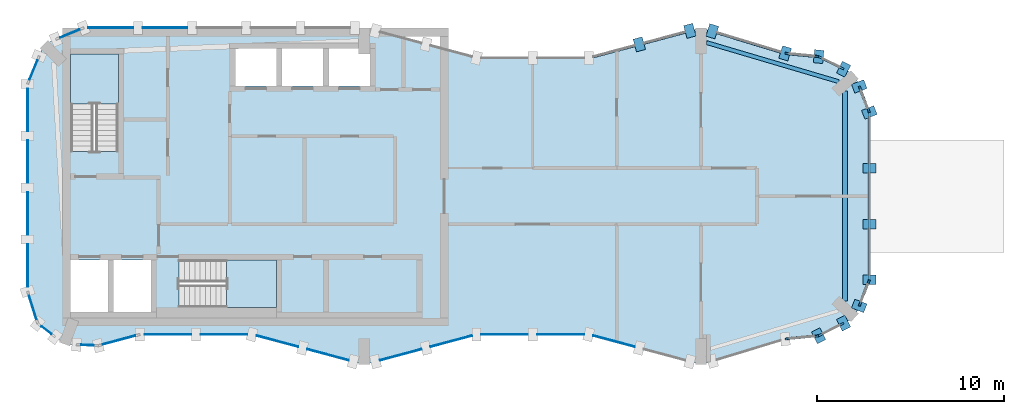
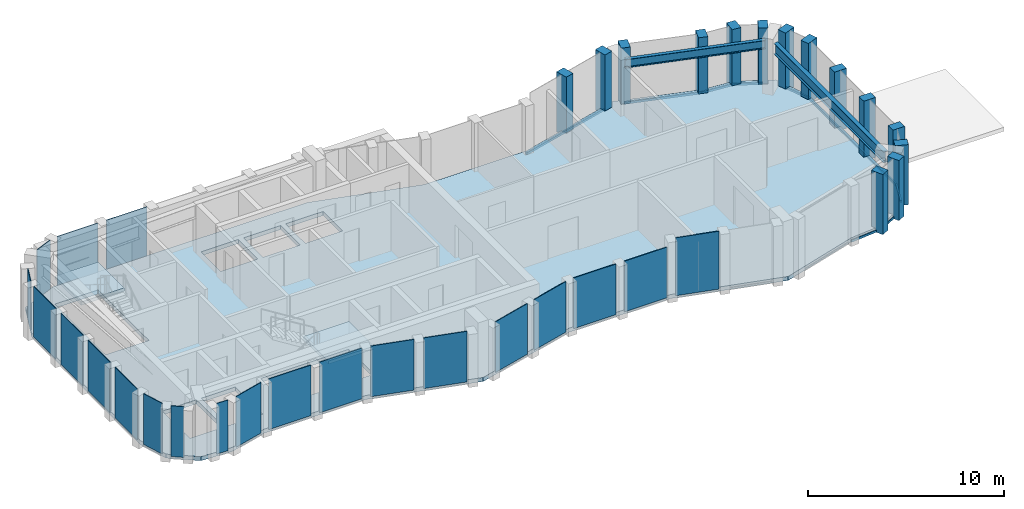
# One storey, part 2 of 6: 23 members, 21 plates, 3 slabs, 2 beams, 24 elements without a shape of their own.
"""IFC4 building model written with IfcOpenShell, lengths in metres."""

from ifc_helpers import new_model, si_unit, direction, frame, origin, origin_2d, place, context, subcontext, project, spatial, polyline, rectangle, i_section, outline, extrude, material, layer, layer_set, material_profile, profile_set, type_object, element, aggregate, save


model = new_model("IFC4")

# Units and contexts
model_context = context("Model", 3, precision=1e-05, world=origin(), true_north=direction((0.0, 1.0)))
body_context = subcontext(model_context, "Body", "Model", "MODEL_VIEW")
ifc_project = project(units=[si_unit("LENGTHUNIT", "METRE"), si_unit("AREAUNIT", "SQUARE_METRE"), si_unit("VOLUMEUNIT", "CUBIC_METRE"), si_unit("PLANEANGLEUNIT", "RADIAN"), si_unit("MASSUNIT", "GRAM", prefix="KILO")], contexts=[model_context])

# Site, building, storey
site_placement = place(None, origin())
site = spatial("IfcSite", under=ifc_project, at=site_placement, CompositionType="ELEMENT")
building_placement = place(site_placement, origin())
building = spatial("IfcBuilding", under=site, at=building_placement, Name="Plateau Cross Towers", CompositionType="ELEMENT")
storey_placement = place(building_placement, frame((0.0, 0.0, 291.39990234375)))
storey = spatial("IfcBuildingStorey", under=building, at=storey_placement, Name="L77 Crown 1", CompositionType="ELEMENT", Elevation=291.39990234375)

# Beams
ifc_material_1 = material(Name="Steel S355", Category="steel")
ifc_material_profile_1 = material_profile(ifc_material_1, i_section(OverallWidth=0.209228515625, OverallDepth=0.533203125, WebThickness=0.010009765625, FlangeThickness=0.015625, FilletRadius=0.0126953125, at=origin_2d()), Name="UB 533x210x92")
ifc_profile_set_1 = profile_set([ifc_material_profile_1], Name="Steel S355")
beam_type_1 = type_object("IfcBeamType", Name="Crown ring beam UB 533x210x92", PredefinedType="BEAM", material=ifc_profile_set_1)
beam_1_placement = place(storey_placement, frame((43.366455078125, 15.122314453125, 2.783447265625), z_axis=(-0.958969404993, 0.283509577064, 0.0), x_axis=(-0.283509577064, -0.958969404993, 0.0)))
element("IfcBeam", 1, at=beam_1_placement, inside=storey, type_object=beam_type_1, Name="CRB-L77 Crown 1-04", PredefinedType="BEAM", context=body_context, shape_type="SweptSolid", body=[
    extrude(i_section(OverallWidth=0.209228515625, OverallDepth=0.533203125, WebThickness=0.010009765625, FlangeThickness=0.015625, FilletRadius=0.0126953125, at=origin_2d()), origin(), (0.0, 0.0, 1.0), 7.36865234375),
])
ifc_material_profile_2 = material_profile(ifc_material_1, i_section(OverallWidth=0.2529296875, OverallDepth=0.677978515625, WebThickness=0.01171875, FlangeThickness=0.01611328125, FilletRadius=0.01513671875, at=origin_2d()), Name="UB 686x254x125")
ifc_profile_set_2 = profile_set([ifc_material_profile_2], Name="Steel S355")
beam_type_2 = type_object("IfcBeamType", Name="Crown ring beam UB 686x254x125", PredefinedType="BEAM", material=ifc_profile_set_2)
beam_2_placement = place(storey_placement, frame((43.703125, 3.38232421875, 2.711181640625), z_axis=(0.0, 1.0, 0.0), x_axis=(-1.0, 0.0, 0.0)))
element("IfcBeam", 2, at=beam_2_placement, inside=storey, type_object=beam_type_2, Name="CRB-L77 Crown 1-03", PredefinedType="BEAM", context=body_context, shape_type="SweptSolid", body=[
    extrude(i_section(OverallWidth=0.2529296875, OverallDepth=0.677978515625, WebThickness=0.01171875, FlangeThickness=0.01611328125, FilletRadius=0.01513671875, at=origin_2d()), origin(), (0.0, 0.0, 1.0), 11.2353515625),
])

# Curtain wall, members
ifc_material_2 = material(Name="Dark low-iron glass", Category="glass")
ifc_layer_1 = layer(ifc_material_2, 0.800048828125)
ifc_layer_set_1 = layer_set([ifc_layer_1], Name="Dark low-iron glass")
curtain_wall_type = type_object("IfcCurtainWallType", Name="Curtain wall sky lounge CW-D", PredefinedType="NOTDEFINED", material=ifc_layer_set_1)
curtain_wall_1_placement = place(storey_placement, origin())
curtain_wall_1 = element("IfcCurtainWall", 3, at=curtain_wall_1_placement, inside=storey, type_object=curtain_wall_type, Name="ENV/A/L77 Crown 1/A423_15", PredefinedType="NOTDEFINED")
ifc_material_3 = material(Name="Black anodised aluminium", Category="aluminium")
ifc_material_profile_3 = material_profile(ifc_material_3, rectangle(XDim=0.5, YDim=0.699951171875, at=origin_2d()), Name="MULLION 500x700")
ifc_profile_set_3 = profile_set([ifc_material_profile_3], Name="Black anodised aluminium")
member_type_1 = type_object("IfcMemberType", Name="Mullion 500x700 sky lounge", PredefinedType="MULLION", material=ifc_profile_set_3)
member_1_placement = place(storey_placement, frame((42.289794921875, 1.536865234375, -0.25), z_axis=(0.0, 0.0, 1.0), x_axis=(0.893702121293, 0.448660805505, 0.0)))
member_1 = element("IfcMember", 4, at=member_1_placement, type_object=member_type_1, Name="CW-D mullion 1", PredefinedType="MULLION", context=body_context, shape_type="SweptSolid", body=[
    extrude(rectangle(XDim=0.5, YDim=0.699951171875, at=origin_2d()), origin(), (0.0, 0.0, 1.0), 3.75),
])
member_2_placement = place(storey_placement, frame((43.623779296875, 2.20654296875, -0.25), z_axis=(0.0, 0.0, 1.0), x_axis=(0.893702121293, 0.448660805505, 0.0)))
member_2 = element("IfcMember", 5, at=member_2_placement, type_object=member_type_1, Name="CW-D mullion 2", PredefinedType="MULLION", context=body_context, shape_type="SweptSolid", body=[
    extrude(rectangle(XDim=0.5, YDim=0.699951171875, at=origin_2d()), origin(), (0.0, 0.0, 1.0), 3.75),
])

# Curtain wall, member
curtain_wall_2_placement = place(storey_placement, origin())
curtain_wall_2 = element("IfcCurtainWall", 6, at=curtain_wall_2_placement, inside=storey, type_object=curtain_wall_type, Name="ENV/A/L77 Crown 1/A445_31", PredefinedType="NOTDEFINED")
member_3_placement = place(storey_placement, frame((44.46240234375, 3.130615234375, -0.25), z_axis=(0.0, 0.0, 1.0), x_axis=(0.360225826244, 0.932865131789, 0.0)))
member_3 = element("IfcMember", 7, at=member_3_placement, type_object=member_type_1, Name="CW-D mullion 1", PredefinedType="MULLION", context=body_context, shape_type="SweptSolid", body=[
    extrude(rectangle(XDim=0.5, YDim=0.699951171875, at=origin_2d()), origin(), (0.0, 0.0, 1.0), 3.75),
])

# Curtain wall, members
curtain_wall_3_placement = place(storey_placement, origin())
curtain_wall_3 = element("IfcCurtainWall", 8, at=curtain_wall_3_placement, inside=storey, type_object=curtain_wall_type, Name="ENV/A/L77 Crown 1/A450_45", PredefinedType="NOTDEFINED")
member_4_placement = place(storey_placement, frame((45.0, 4.52294921875, -0.25), z_axis=(0.0, 0.0, 1.0), x_axis=(0.0, 1.0, 0.0)))
member_4 = element("IfcMember", 9, at=member_4_placement, type_object=member_type_1, Name="CW-D mullion 1", PredefinedType="MULLION", context=body_context, shape_type="SweptSolid", body=[
    extrude(rectangle(XDim=0.5, YDim=0.699951171875, at=origin_2d()), origin(), (0.0, 0.0, 1.0), 3.75),
])
member_5_placement = place(storey_placement, frame((45.0, 7.507568359375, -0.25), z_axis=(0.0, 0.0, 1.0), x_axis=(0.0, 1.0, 0.0)))
member_5 = element("IfcMember", 10, at=member_5_placement, type_object=member_type_1, Name="CW-D mullion 2", PredefinedType="MULLION", context=body_context, shape_type="SweptSolid", body=[
    extrude(rectangle(XDim=0.5, YDim=0.699951171875, at=origin_2d()), origin(), (0.0, 0.0, 1.0), 3.75),
])
member_6_placement = place(storey_placement, frame((45.0, 10.492431640625, -0.25), z_axis=(0.0, 0.0, 1.0), x_axis=(0.0, 1.0, 0.0)))
member_6 = element("IfcMember", 11, at=member_6_placement, type_object=member_type_1, Name="CW-D mullion 3", PredefinedType="MULLION", context=body_context, shape_type="SweptSolid", body=[
    extrude(rectangle(XDim=0.5, YDim=0.699951171875, at=origin_2d()), origin(), (0.0, 0.0, 1.0), 3.75),
])

curtain_wall_4_placement = place(storey_placement, origin())
curtain_wall_4 = element("IfcCurtainWall", 12, at=curtain_wall_4_placement, inside=storey, type_object=curtain_wall_type, Name="ENV/A/L77 Crown 1/A450_135", PredefinedType="NOTDEFINED")
member_7_placement = place(storey_placement, frame((45.0, 13.47705078125, -0.25), z_axis=(0.0, 0.0, 1.0), x_axis=(-0.360225826244, 0.932865131789, 0.0)))
member_7 = element("IfcMember", 13, at=member_7_placement, type_object=member_type_1, Name="CW-D mullion 1", PredefinedType="MULLION", context=body_context, shape_type="SweptSolid", body=[
    extrude(rectangle(XDim=0.5, YDim=0.699951171875, at=origin_2d()), origin(), (0.0, 0.0, 1.0), 3.75),
])
member_8_placement = place(storey_placement, frame((44.46240234375, 14.869384765625, -0.25), z_axis=(0.0, 0.0, 1.0), x_axis=(-0.360225826244, 0.932865131789, 0.0)))
member_8 = element("IfcMember", 14, at=member_8_placement, type_object=member_type_1, Name="CW-D mullion 2", PredefinedType="MULLION", context=body_context, shape_type="SweptSolid", body=[
    extrude(rectangle(XDim=0.5, YDim=0.699951171875, at=origin_2d()), origin(), (0.0, 0.0, 1.0), 3.75),
])

# Curtain wall, member
curtain_wall_5_placement = place(storey_placement, origin())
curtain_wall_5 = element("IfcCurtainWall", 15, at=curtain_wall_5_placement, inside=storey, type_object=curtain_wall_type, Name="ENV/A/L77 Crown 1/A436_158", PredefinedType="NOTDEFINED")
member_9_placement = place(storey_placement, frame((43.623779296875, 15.79345703125, -0.25), z_axis=(0.0, 0.0, 1.0), x_axis=(-0.893702121293, 0.448660805505, 0.0)))
member_9 = element("IfcMember", 16, at=member_9_placement, type_object=member_type_1, Name="CW-D mullion 1", PredefinedType="MULLION", context=body_context, shape_type="SweptSolid", body=[
    extrude(rectangle(XDim=0.5, YDim=0.699951171875, at=origin_2d()), origin(), (0.0, 0.0, 1.0), 3.75),
])

curtain_wall_6_placement = place(storey_placement, origin())
curtain_wall_6 = element("IfcCurtainWall", 17, at=curtain_wall_6_placement, inside=storey, type_object=curtain_wall_type, Name="ENV/A/L77 Crown 1/A423_165", PredefinedType="NOTDEFINED")
member_10_placement = place(storey_placement, frame((42.289794921875, 16.463134765625, -0.25), z_axis=(0.0, 0.0, 1.0), x_axis=(-0.995322680406, 0.096606220658, 0.0)))
member_10 = element("IfcMember", 18, at=member_10_placement, type_object=member_type_1, Name="CW-D mullion 1", PredefinedType="MULLION", context=body_context, shape_type="SweptSolid", body=[
    extrude(rectangle(XDim=0.5, YDim=0.699951171875, at=origin_2d()), origin(), (0.0, 0.0, 1.0), 3.75),
])

# Curtain wall, members
curtain_wall_7_placement = place(storey_placement, origin())
curtain_wall_7 = element("IfcCurtainWall", 19, at=curtain_wall_7_placement, inside=storey, type_object=curtain_wall_type, Name="ENV/A/L77 Crown 1/A405_166", PredefinedType="NOTDEFINED")
member_11_placement = place(storey_placement, frame((40.5, 16.63671875, -0.25), z_axis=(0.0, 0.0, 1.0), x_axis=(-0.957048328724, 0.289928433386, 0.0)))
member_11 = element("IfcMember", 20, at=member_11_placement, type_object=member_type_1, Name="CW-D mullion 1", PredefinedType="MULLION", context=body_context, shape_type="SweptSolid", body=[
    extrude(rectangle(XDim=0.5, YDim=0.699951171875, at=origin_2d()), origin(), (0.0, 0.0, 1.0), 3.75),
])
member_12_placement = place(storey_placement, frame((36.60546875, 17.816650390625, -0.25), z_axis=(0.0, 0.0, 1.0), x_axis=(-0.957048328724, 0.289928433386, 0.0)))
member_12 = element("IfcMember", 21, at=member_12_placement, type_object=member_type_1, Name="CW-D mullion 2", PredefinedType="MULLION", context=body_context, shape_type="SweptSolid", body=[
    extrude(rectangle(XDim=0.5, YDim=0.699951171875, at=origin_2d()), origin(), (0.0, 0.0, 1.0), 3.75),
])

curtain_wall_8_placement = place(storey_placement, origin())
curtain_wall_8 = element("IfcCurtainWall", 22, at=curtain_wall_8_placement, inside=storey, type_object=curtain_wall_type, Name="ENV/A/L77 Crown 1/A354_178", PredefinedType="NOTDEFINED")
member_13_placement = place(storey_placement, frame((35.403076171875, 17.840087890625, -0.25), z_axis=(0.0, 0.0, 1.0), x_axis=(-0.965957983404, -0.258699003279, 0.0)))
member_13 = element("IfcMember", 23, at=member_13_placement, type_object=member_type_1, Name="CW-D mullion 1", PredefinedType="MULLION", context=body_context, shape_type="SweptSolid", body=[
    extrude(rectangle(XDim=0.5, YDim=0.699951171875, at=origin_2d()), origin(), (0.0, 0.0, 1.0), 3.75),
])
member_14_placement = place(storey_placement, frame((32.70166015625, 17.11669921875, -0.25), z_axis=(0.0, 0.0, 1.0), x_axis=(-0.965957983404, -0.258699003279, 0.0)))
member_14 = element("IfcMember", 24, at=member_14_placement, type_object=member_type_1, Name="CW-D mullion 2", PredefinedType="MULLION", context=body_context, shape_type="SweptSolid", body=[
    extrude(rectangle(XDim=0.5, YDim=0.699951171875, at=origin_2d()), origin(), (0.0, 0.0, 1.0), 3.75),
])

# Curtain wall, member
curtain_wall_9_placement = place(storey_placement, origin())
curtain_wall_9 = element("IfcCurtainWall", 25, at=curtain_wall_9_placement, inside=storey, type_object=curtain_wall_type, Name="ENV/A/L77 Crown 1/A405_14", PredefinedType="NOTDEFINED")
ifc_material_profile_4 = material_profile(ifc_material_3, rectangle(XDim=0.10009765625, YDim=0.139892578125, at=origin_2d()), Name="TRANSOM 100x140")
ifc_profile_set_4 = profile_set([ifc_material_profile_4], Name="Black anodised aluminium")
member_type_2 = type_object("IfcMemberType", Name="Transom 100x140 sky lounge", PredefinedType="USERDEFINED", material=ifc_profile_set_4)
member_15_placement = place(storey_placement, frame((40.5, 1.36328125, -0.179931640625), z_axis=(0.995329836219, 0.096532466724, 0.0), x_axis=(-0.096532466724, 0.995329836219, 0.0)))
member_15 = element("IfcMember", 26, at=member_15_placement, type_object=member_type_2, Name="CW-D transom", ObjectType="TRANSOM", PredefinedType="USERDEFINED", context=body_context, shape_type="SweptSolid", body=[
    extrude(rectangle(XDim=0.10009765625, YDim=0.139892578125, at=origin_2d()), origin(), (0.0, 0.0, 1.0), 1.798095703125),
])
aggregate(curtain_wall_9, [member_15])

# Member
member_16_placement = place(storey_placement, frame((42.289794921875, 1.536865234375, -0.179931640625), z_axis=(0.893706357175, 0.448652367813, 0.0), x_axis=(-0.448652367813, 0.893706357175, 0.0)))
member_16 = element("IfcMember", 27, at=member_16_placement, type_object=member_type_2, Name="CW-D transom", ObjectType="TRANSOM", PredefinedType="USERDEFINED", context=body_context, shape_type="SweptSolid", body=[
    extrude(rectangle(XDim=0.10009765625, YDim=0.139892578125, at=origin_2d()), origin(), (0.0, 0.0, 1.0), 1.49267578125),
])

aggregate(curtain_wall_1, [member_1, member_2, member_16])

member_17_placement = place(storey_placement, frame((44.46240234375, 3.130615234375, -0.179931640625), z_axis=(0.360195479998, 0.932876849423, 0.0), x_axis=(-0.932876849423, 0.360195479998, 0.0)))
member_17 = element("IfcMember", 28, at=member_17_placement, type_object=member_type_2, Name="CW-D transom", ObjectType="TRANSOM", PredefinedType="USERDEFINED", context=body_context, shape_type="SweptSolid", body=[
    extrude(rectangle(XDim=0.10009765625, YDim=0.139892578125, at=origin_2d()), origin(), (0.0, 0.0, 1.0), 1.492431640625),
])

aggregate(curtain_wall_2, [member_3, member_17])

member_18_placement = place(storey_placement, frame((45.0, 4.52294921875, -0.179931640625), z_axis=(0.0, 1.0, 0.0), x_axis=(-1.0, 0.0, 0.0)))
member_18 = element("IfcMember", 29, at=member_18_placement, type_object=member_type_2, Name="CW-D transom", ObjectType="TRANSOM", PredefinedType="USERDEFINED", context=body_context, shape_type="SweptSolid", body=[
    extrude(rectangle(XDim=0.10009765625, YDim=0.139892578125, at=origin_2d()), origin(), (0.0, 0.0, 1.0), 8.9541015625),
])

aggregate(curtain_wall_3, [member_4, member_5, member_6, member_18])

member_19_placement = place(storey_placement, frame((45.0, 13.47705078125, -0.179931640625), z_axis=(-0.360195479998, 0.932876849423, 0.0), x_axis=(-0.932876849423, -0.360195479998, 0.0)))
member_19 = element("IfcMember", 30, at=member_19_placement, type_object=member_type_2, Name="CW-D transom", ObjectType="TRANSOM", PredefinedType="USERDEFINED", context=body_context, shape_type="SweptSolid", body=[
    extrude(rectangle(XDim=0.10009765625, YDim=0.139892578125, at=origin_2d()), origin(), (0.0, 0.0, 1.0), 1.492431640625),
])

aggregate(curtain_wall_4, [member_7, member_8, member_19])

member_20_placement = place(storey_placement, frame((43.623779296875, 15.79345703125, -0.179931640625), z_axis=(-0.893706357175, 0.448652367813, 0.0), x_axis=(-0.448652367813, -0.893706357175, 0.0)))
member_20 = element("IfcMember", 31, at=member_20_placement, type_object=member_type_2, Name="CW-D transom", ObjectType="TRANSOM", PredefinedType="USERDEFINED", context=body_context, shape_type="SweptSolid", body=[
    extrude(rectangle(XDim=0.10009765625, YDim=0.139892578125, at=origin_2d()), origin(), (0.0, 0.0, 1.0), 1.49267578125),
])

aggregate(curtain_wall_5, [member_9, member_20])

member_21_placement = place(storey_placement, frame((42.289794921875, 16.463134765625, -0.179931640625), z_axis=(-0.995329836219, 0.096532466724, 0.0), x_axis=(-0.096532466724, -0.995329836219, 0.0)))
member_21 = element("IfcMember", 32, at=member_21_placement, type_object=member_type_2, Name="CW-D transom", ObjectType="TRANSOM", PredefinedType="USERDEFINED", context=body_context, shape_type="SweptSolid", body=[
    extrude(rectangle(XDim=0.10009765625, YDim=0.139892578125, at=origin_2d()), origin(), (0.0, 0.0, 1.0), 1.798095703125),
])

aggregate(curtain_wall_6, [member_10, member_21])

member_22_placement = place(storey_placement, frame((40.5, 16.63671875, -0.179931640625), z_axis=(-0.957040045132, 0.289955775961, 0.0), x_axis=(-0.289955775961, -0.957040045132, 0.0)))
member_22 = element("IfcMember", 33, at=member_22_placement, type_object=member_type_2, Name="CW-D transom", ObjectType="TRANSOM", PredefinedType="USERDEFINED", context=body_context, shape_type="SweptSolid", body=[
    extrude(rectangle(XDim=0.10009765625, YDim=0.139892578125, at=origin_2d()), origin(), (0.0, 0.0, 1.0), 4.0693359375),
])

aggregate(curtain_wall_7, [member_11, member_12, member_22])

member_23_placement = place(storey_placement, frame((35.403076171875, 17.840087890625, -0.179931640625), z_axis=(-0.965958374924, -0.258697541375, 0.0), x_axis=(0.258697541375, -0.965958374924, 0.0)))
member_23 = element("IfcMember", 34, at=member_23_placement, type_object=member_type_2, Name="CW-D transom", ObjectType="TRANSOM", PredefinedType="USERDEFINED", context=body_context, shape_type="SweptSolid", body=[
    extrude(rectangle(XDim=0.10009765625, YDim=0.139892578125, at=origin_2d()), origin(), (0.0, 0.0, 1.0), 5.593505859375),
])

aggregate(curtain_wall_8, [member_13, member_14, member_23])

# Curtain wall, plate
curtain_wall_10_placement = place(storey_placement, origin())
curtain_wall_10 = element("IfcCurtainWall", 35, at=curtain_wall_10_placement, inside=storey, type_object=curtain_wall_type, Name="ENV/A/L77 Crown 1/A38_10", PredefinedType="NOTDEFINED")
ifc_layer_2 = layer(ifc_material_2, 0.0400390625)
ifc_layer_set_2 = layer_set([ifc_layer_2], Name="Dark low-iron glass")
plate_type = type_object("IfcPlateType", Name="Glass panel 40 sky lounge", PredefinedType="CURTAIN_PANEL", material=ifc_layer_set_2)
plate_1_placement = place(storey_placement, frame((4.887939453125, 1.30908203125, -0.10986328125), z_axis=(0.0, 0.0, 1.0), x_axis=(0.965957962328, 0.258699081978, 0.0)))
plate_1 = element("IfcPlate", 36, at=plate_1_placement, type_object=plate_type, Name="CW-D panel 1", PredefinedType="CURTAIN_PANEL", context=body_context, shape_type="SweptSolid", body=[
    extrude(rectangle(XDim=1.80224609375, YDim=0.0400390625, at=origin_2d()), origin(), (0.0, 0.0, 1.0), 3.159912109375),
])
aggregate(curtain_wall_10, [plate_1])

# Curtain wall, plates
curtain_wall_11_placement = place(storey_placement, origin())
curtain_wall_11 = element("IfcCurtainWall", 37, at=curtain_wall_11_placement, inside=storey, type_object=curtain_wall_type, Name="ENV/A/L77 Crown 1/A60_16", PredefinedType="NOTDEFINED")
plate_2_placement = place(storey_placement, frame((7.5, 1.60693359375, -0.10986328125), z_axis=(0.0, 0.0, 1.0), x_axis=(1.0, 0.0, 0.0)))
plate_2 = element("IfcPlate", 38, at=plate_2_placement, type_object=plate_type, Name="CW-D panel 1", PredefinedType="CURTAIN_PANEL", context=body_context, shape_type="SweptSolid", body=[
    extrude(rectangle(XDim=2.5, YDim=0.0400390625, at=origin_2d()), origin(), (0.0, 0.0, 1.0), 3.159912109375),
])
plate_3_placement = place(storey_placement, frame((10.5, 1.60693359375, -0.10986328125), z_axis=(0.0, 0.0, 1.0), x_axis=(1.0, 0.0, 0.0)))
plate_3 = element("IfcPlate", 39, at=plate_3_placement, type_object=plate_type, Name="CW-D panel 2", PredefinedType="CURTAIN_PANEL", context=body_context, shape_type="SweptSolid", body=[
    extrude(rectangle(XDim=2.5, YDim=0.0400390625, at=origin_2d()), origin(), (0.0, 0.0, 1.0), 3.159912109375),
])
aggregate(curtain_wall_11, [plate_2, plate_3])

curtain_wall_12_placement = place(storey_placement, origin())
curtain_wall_12 = element("IfcCurtainWall", 40, at=curtain_wall_12_placement, inside=storey, type_object=curtain_wall_type, Name="ENV/A/L77 Crown 1/A120_16", PredefinedType="NOTDEFINED")
plate_4_placement = place(storey_placement, frame((13.350830078125, 1.2451171875, -0.10986328125), z_axis=(0.0, 0.0, 1.0), x_axis=(0.965957983404, -0.258699003279, 0.0)))
plate_4 = element("IfcPlate", 41, at=plate_4_placement, type_object=plate_type, Name="CW-D panel 1", PredefinedType="CURTAIN_PANEL", context=body_context, shape_type="SweptSolid", body=[
    extrude(rectangle(XDim=2.296875, YDim=0.0400390625, at=origin_2d()), origin(), (0.0, 0.0, 1.0), 3.159912109375),
])
plate_5_placement = place(storey_placement, frame((16.05224609375, 0.521728515625, -0.10986328125), z_axis=(0.0, 0.0, 1.0), x_axis=(0.965957983404, -0.258699003279, 0.0)))
plate_5 = element("IfcPlate", 42, at=plate_5_placement, type_object=plate_type, Name="CW-D panel 2", PredefinedType="CURTAIN_PANEL", context=body_context, shape_type="SweptSolid", body=[
    extrude(rectangle(XDim=2.296875, YDim=0.0400390625, at=origin_2d()), origin(), (0.0, 0.0, 1.0), 3.159912109375),
])
aggregate(curtain_wall_12, [plate_4, plate_5])

curtain_wall_13_placement = place(storey_placement, origin())
curtain_wall_13 = element("IfcCurtainWall", 43, at=curtain_wall_13_placement, inside=storey, type_object=curtain_wall_type, Name="ENV/A/L77 Crown 1/A186_2", PredefinedType="NOTDEFINED")
plate_6_placement = place(storey_placement, frame((19.94775390625, 0.521728515625, -0.10986328125), z_axis=(0.0, 0.0, 1.0), x_axis=(0.965957983404, 0.258699003279, 0.0)))
plate_6 = element("IfcPlate", 44, at=plate_6_placement, type_object=plate_type, Name="CW-D panel 1", PredefinedType="CURTAIN_PANEL", context=body_context, shape_type="SweptSolid", body=[
    extrude(rectangle(XDim=2.296875, YDim=0.0400390625, at=origin_2d()), origin(), (0.0, 0.0, 1.0), 3.159912109375),
])
plate_7_placement = place(storey_placement, frame((22.649169921875, 1.2451171875, -0.10986328125), z_axis=(0.0, 0.0, 1.0), x_axis=(0.965957983404, 0.258699003279, 0.0)))
plate_7 = element("IfcPlate", 45, at=plate_7_placement, type_object=plate_type, Name="CW-D panel 2", PredefinedType="CURTAIN_PANEL", context=body_context, shape_type="SweptSolid", body=[
    extrude(rectangle(XDim=2.296875, YDim=0.0400390625, at=origin_2d()), origin(), (0.0, 0.0, 1.0), 3.159912109375),
])
aggregate(curtain_wall_13, [plate_6, plate_7])

curtain_wall_14_placement = place(storey_placement, origin())
curtain_wall_14 = element("IfcCurtainWall", 46, at=curtain_wall_14_placement, inside=storey, type_object=curtain_wall_type, Name="ENV/A/L77 Crown 1/A240_16", PredefinedType="NOTDEFINED")
plate_8_placement = place(storey_placement, frame((25.5, 1.60693359375, -0.10986328125), z_axis=(0.0, 0.0, 1.0), x_axis=(1.0, 0.0, 0.0)))
plate_8 = element("IfcPlate", 47, at=plate_8_placement, type_object=plate_type, Name="CW-D panel 1", PredefinedType="CURTAIN_PANEL", context=body_context, shape_type="SweptSolid", body=[
    extrude(rectangle(XDim=2.5, YDim=0.0400390625, at=origin_2d()), origin(), (0.0, 0.0, 1.0), 3.159912109375),
])
plate_9_placement = place(storey_placement, frame((28.5, 1.60693359375, -0.10986328125), z_axis=(0.0, 0.0, 1.0), x_axis=(1.0, 0.0, 0.0)))
plate_9 = element("IfcPlate", 48, at=plate_9_placement, type_object=plate_type, Name="CW-D panel 2", PredefinedType="CURTAIN_PANEL", context=body_context, shape_type="SweptSolid", body=[
    extrude(rectangle(XDim=2.5, YDim=0.0400390625, at=origin_2d()), origin(), (0.0, 0.0, 1.0), 3.159912109375),
])
aggregate(curtain_wall_14, [plate_8, plate_9])

# Curtain wall, plate
curtain_wall_15_placement = place(storey_placement, origin())
curtain_wall_15 = element("IfcCurtainWall", 49, at=curtain_wall_15_placement, inside=storey, type_object=curtain_wall_type, Name="ENV/A/L77 Crown 1/A300_16", PredefinedType="NOTDEFINED")
plate_10_placement = place(storey_placement, frame((31.350830078125, 1.2451171875, -0.10986328125), z_axis=(0.0, 0.0, 1.0), x_axis=(0.965957983404, -0.258699003279, 0.0)))
plate_10 = element("IfcPlate", 50, at=plate_10_placement, type_object=plate_type, Name="CW-D panel 1", PredefinedType="CURTAIN_PANEL", context=body_context, shape_type="SweptSolid", body=[
    extrude(rectangle(XDim=2.296875, YDim=0.0400390625, at=origin_2d()), origin(), (0.0, 0.0, 1.0), 3.610107421875),
])
aggregate(curtain_wall_15, [plate_10])

# Curtain wall, plates
curtain_wall_16_placement = place(storey_placement, origin())
curtain_wall_16 = element("IfcCurtainWall", 51, at=curtain_wall_16_placement, inside=storey, type_object=curtain_wall_type, Name="ENV/A/L77 Crown 1/A175_180", PredefinedType="NOTDEFINED")
plate_11_placement = place(storey_placement, frame((7.345458984375, 18.0, -0.10986328125), z_axis=(0.0, 0.0, 1.0), x_axis=(-1.0, 0.0, 0.0)))
plate_11 = element("IfcPlate", 52, at=plate_11_placement, type_object=plate_type, Name="CW-D panel 4", PredefinedType="CURTAIN_PANEL", context=body_context, shape_type="SweptSolid", body=[
    extrude(rectangle(XDim=2.39697265625, YDim=0.0400390625, at=origin_2d()), origin(), (0.0, 0.0, 1.0), 3.159912109375),
])
plate_12_placement = place(storey_placement, frame((4.448486328125, 18.0, -0.10986328125), z_axis=(0.0, 0.0, 1.0), x_axis=(-1.0, 0.0, 0.0)))
plate_12 = element("IfcPlate", 53, at=plate_12_placement, type_object=plate_type, Name="CW-D panel 5", PredefinedType="CURTAIN_PANEL", context=body_context, shape_type="SweptSolid", body=[
    extrude(rectangle(XDim=2.39697265625, YDim=0.0400390625, at=origin_2d()), origin(), (0.0, 0.0, 1.0), 3.159912109375),
])
aggregate(curtain_wall_16, [plate_11, plate_12])

# Curtain wall, plate
curtain_wall_17_placement = place(storey_placement, origin())
curtain_wall_17 = element("IfcCurtainWall", 54, at=curtain_wall_17_placement, inside=storey, type_object=curtain_wall_type, Name="ENV/A/L77 Crown 1/A30_180", PredefinedType="NOTDEFINED")
plate_13_placement = place(storey_placement, frame((2.254150390625, 17.69091796875, -0.10986328125), z_axis=(0.0, 0.0, 1.0), x_axis=(-0.923879457699, -0.382683612978, 0.0)))
plate_13 = element("IfcPlate", 55, at=plate_13_placement, type_object=plate_type, Name="CW-D panel 1", PredefinedType="CURTAIN_PANEL", context=body_context, shape_type="SweptSolid", body=[
    extrude(rectangle(XDim=1.11474609375, YDim=0.0400390625, at=origin_2d()), origin(), (0.0, 0.0, 1.0), 3.159912109375),
])
aggregate(curtain_wall_17, [plate_13])

curtain_wall_18_placement = place(storey_placement, origin())
curtain_wall_18 = element("IfcCurtainWall", 56, at=curtain_wall_18_placement, inside=storey, type_object=curtain_wall_type, Name="ENV/A/L77 Crown 1/A6_165", PredefinedType="NOTDEFINED")
plate_14_placement = place(storey_placement, frame((0.30908203125, 15.745849609375, -0.10986328125), z_axis=(0.0, 0.0, 1.0), x_axis=(-0.382683612978, -0.923879457699, 0.0)))
plate_14 = element("IfcPlate", 57, at=plate_14_placement, type_object=plate_type, Name="CW-D panel 1", PredefinedType="CURTAIN_PANEL", context=body_context, shape_type="SweptSolid", body=[
    extrude(rectangle(XDim=1.11474609375, YDim=0.0400390625, at=origin_2d()), origin(), (0.0, 0.0, 1.0), 3.159912109375),
])
aggregate(curtain_wall_18, [plate_14])

# Curtain wall, plates
curtain_wall_19_placement = place(storey_placement, origin())
curtain_wall_19 = element("IfcCurtainWall", 58, at=curtain_wall_19_placement, inside=storey, type_object=curtain_wall_type, Name="ENV/A/L77 Crown 1/A0_150", PredefinedType="NOTDEFINED")
plate_15_placement = place(storey_placement, frame((0.0, 13.613525390625, -0.10986328125), z_axis=(0.0, 0.0, 1.0), x_axis=(0.0, -1.0, 0.0)))
plate_15 = element("IfcPlate", 59, at=plate_15_placement, type_object=plate_type, Name="CW-D panel 1", PredefinedType="CURTAIN_PANEL", context=body_context, shape_type="SweptSolid", body=[
    extrude(rectangle(XDim=2.272705078125, YDim=0.0400390625, at=origin_2d()), origin(), (0.0, 0.0, 1.0), 3.159912109375),
])
plate_16_placement = place(storey_placement, frame((0.0, 10.8408203125, -0.10986328125), z_axis=(0.0, 0.0, 1.0), x_axis=(0.0, -1.0, 0.0)))
plate_16 = element("IfcPlate", 60, at=plate_16_placement, type_object=plate_type, Name="CW-D panel 2", PredefinedType="CURTAIN_PANEL", context=body_context, shape_type="SweptSolid", body=[
    extrude(rectangle(XDim=2.272705078125, YDim=0.0400390625, at=origin_2d()), origin(), (0.0, 0.0, 1.0), 3.159912109375),
])
plate_17_placement = place(storey_placement, frame((0.0, 8.068115234375, -0.10986328125), z_axis=(0.0, 0.0, 1.0), x_axis=(0.0, -1.0, 0.0)))
plate_17 = element("IfcPlate", 61, at=plate_17_placement, type_object=plate_type, Name="CW-D panel 3", PredefinedType="CURTAIN_PANEL", context=body_context, shape_type="SweptSolid", body=[
    extrude(rectangle(XDim=2.272705078125, YDim=0.0400390625, at=origin_2d()), origin(), (0.0, 0.0, 1.0), 3.159912109375),
])
plate_18_placement = place(storey_placement, frame((0.0, 5.29541015625, -0.10986328125), z_axis=(0.0, 0.0, 1.0), x_axis=(0.0, -1.0, 0.0)))
plate_18 = element("IfcPlate", 62, at=plate_18_placement, type_object=plate_type, Name="CW-D panel 4", PredefinedType="CURTAIN_PANEL", context=body_context, shape_type="SweptSolid", body=[
    extrude(rectangle(XDim=2.272705078125, YDim=0.0400390625, at=origin_2d()), origin(), (0.0, 0.0, 1.0), 3.159912109375),
])
aggregate(curtain_wall_19, [plate_15, plate_16, plate_17, plate_18])

# Curtain wall, plate
curtain_wall_20_placement = place(storey_placement, origin())
curtain_wall_20 = element("IfcCurtainWall", 63, at=curtain_wall_20_placement, inside=storey, type_object=curtain_wall_type, Name="ENV/A/L77 Crown 1/A0_39", PredefinedType="NOTDEFINED")
plate_19_placement = place(storey_placement, frame((0.271240234375, 3.048828125, -0.10986328125), z_axis=(0.0, 0.0, 1.0), x_axis=(0.300686174994, -0.95372313811, 0.0)))
plate_19 = element("IfcPlate", 64, at=plate_19_placement, type_object=plate_type, Name="CW-D panel 1", PredefinedType="CURTAIN_PANEL", context=body_context, shape_type="SweptSolid", body=[
    extrude(rectangle(XDim=1.30419921875, YDim=0.0400390625, at=origin_2d()), origin(), (0.0, 0.0, 1.0), 3.159912109375),
])
aggregate(curtain_wall_20, [plate_19])

curtain_wall_21_placement = place(storey_placement, origin())
curtain_wall_21 = element("IfcCurtainWall", 65, at=curtain_wall_21_placement, inside=storey, type_object=curtain_wall_type, Name="ENV/A/L77 Crown 1/A5_22", PredefinedType="NOTDEFINED")
plate_20_placement = place(storey_placement, frame((1.005126953125, 1.83349609375, -0.10986328125), z_axis=(0.0, 0.0, 1.0), x_axis=(0.793315514529, -0.608810721331, 0.0)))
plate_20 = element("IfcPlate", 66, at=plate_20_placement, type_object=plate_type, Name="CW-D panel 1", PredefinedType="CURTAIN_PANEL", context=body_context, shape_type="SweptSolid", body=[
    extrude(rectangle(XDim=0.666259765625, YDim=0.0400390625, at=origin_2d()), origin(), (0.0, 0.0, 1.0), 3.159912109375),
])
aggregate(curtain_wall_21, [plate_20])

curtain_wall_22_placement = place(storey_placement, origin())
curtain_wall_22 = element("IfcCurtainWall", 67, at=curtain_wall_22_placement, inside=storey, type_object=curtain_wall_type, Name="ENV/A/L77 Crown 1/A26_11", PredefinedType="NOTDEFINED")
plate_21_placement = place(storey_placement, frame((3.193603515625, 1.036865234375, -0.10986328125), z_axis=(0.0, 0.0, 1.0), x_axis=(0.999043701491, -0.043722791671, 0.0)))
plate_21 = element("IfcPlate", 68, at=plate_21_placement, type_object=plate_type, Name="CW-D panel 1", PredefinedType="CURTAIN_PANEL", context=body_context, shape_type="SweptSolid", body=[
    extrude(rectangle(XDim=0.666259765625, YDim=0.0400390625, at=origin_2d()), origin(), (0.0, 0.0, 1.0), 3.159912109375),
])
aggregate(curtain_wall_22, [plate_21])

# Slab
ifc_material_4 = material(Name="Concrete C40/50", Category="concrete")
ifc_layer_3 = layer(ifc_material_4, 0.25)
ifc_layer_set_3 = layer_set([ifc_layer_3], Name="Concrete C40/50")
slab_type_1 = type_object("IfcSlabType", Name="Post-tensioned flat plate slab 250", PredefinedType="FLOOR", material=ifc_layer_set_3)
slab_1_placement = place(storey_placement, frame((0.0, 0.0, -0.25)))
element("IfcSlab", 69, at=slab_1_placement, inside=storey, type_object=slab_type_1, Name="SL-A-L77 Crown 1", PredefinedType="FLOOR", context=body_context, shape_type="SweptSolid", body=[
    extrude(outline(polyline([(1.9736328125, 1.090087890625), (0.54248046875, 2.1884765625), (0.0, 3.9091796875), (0.0, 15.0), (0.878662109375, 17.121337890625), (3.0, 18.0), (18.0, 18.0), (24.0, 16.39306640625), (30.0, 16.39306640625), (36.0, 18.0), (40.5, 16.63671875), (42.289794921875, 16.463134765625), (44.221435546875, 15.493408203125), (45.0, 13.47705078125), (45.0, 4.52294921875), (44.221435546875, 2.506591796875), (42.289794921875, 1.536865234375), (40.5, 1.36328125), (36.0, 0.0), (30.0, 1.60693359375), (24.0, 1.60693359375), (18.0, 0.0), (12.0, 1.60693359375), (6.0, 1.60693359375), (3.776123046875, 1.01123046875), (1.9736328125, 1.090087890625)]), holes=[polyline([(2.300048828125, 5.60009765625), (2.300048828125, 2.800048828125), (4.300048828125, 2.800048828125), (4.300048828125, 5.60009765625), (2.300048828125, 5.60009765625)]), polyline([(6.60009765625, 5.60009765625), (4.60009765625, 5.60009765625), (4.60009765625, 2.800048828125), (6.60009765625, 2.800048828125), (6.60009765625, 5.60009765625)]), polyline([(13.300048828125, 5.60009765625), (8.10009765625, 5.60009765625), (8.10009765625, 3.050048828125), (13.300048828125, 3.050048828125), (13.300048828125, 5.60009765625)]), polyline([(2.300048828125, 16.60009765625), (2.300048828125, 11.39990234375), (4.85009765625, 11.39990234375), (4.85009765625, 16.60009765625), (2.300048828125, 16.60009765625)]), polyline([(13.300048828125, 16.89990234375), (11.10009765625, 16.89990234375), (11.10009765625, 14.89990234375), (13.300048828125, 14.89990234375), (13.300048828125, 16.89990234375)]), polyline([(15.800048828125, 16.89990234375), (13.60009765625, 16.89990234375), (13.60009765625, 14.89990234375), (15.800048828125, 14.89990234375), (15.800048828125, 16.89990234375)]), polyline([(18.300048828125, 16.89990234375), (16.10009765625, 16.89990234375), (16.10009765625, 14.89990234375), (18.300048828125, 14.89990234375), (18.300048828125, 16.89990234375)])]), origin(), (0.0, 0.0, 1.0), 0.25),
])

# Stair, slab
stair_type = type_object("IfcStairType", Name="ST-TWR", PredefinedType="HALF_TURN_STAIR", material=ifc_material_4)
stair_1_placement = place(storey_placement, origin())
stair_1 = element("IfcStair", 70, at=stair_1_placement, inside=storey, type_object=stair_type, Name="L77 Crown 1 Protected Exit Stair ST-1", PredefinedType="HALF_TURN_STAIR")
ifc_layer_4 = layer(ifc_material_4, 0.199951171875)
ifc_layer_set_4 = layer_set([ifc_layer_4], Name="Concrete C40/50")
slab_type_2 = type_object("IfcSlabType", Name="SL-LANDING", PredefinedType="LANDING", material=ifc_layer_set_4)
slab_2_placement = place(storey_placement, frame((0.0, 0.0, 1.550048828125)))
slab_2 = element("IfcSlab", 71, at=slab_2_placement, type_object=slab_type_2, Name="ST-1 landing 1", PredefinedType="LANDING", context=body_context, shape_type="SweptSolid", body=[
    extrude(outline(polyline([(4.85009765625, 13.919921875), (4.85009765625, 16.60009765625), (2.300048828125, 16.60009765625), (2.300048828125, 13.919921875), (4.85009765625, 13.919921875)])), origin(), (0.0, 0.0, 1.0), 0.199951171875),
])
aggregate(stair_1, [slab_2])

stair_2_placement = place(storey_placement, origin())
stair_2 = element("IfcStair", 72, at=stair_2_placement, inside=storey, type_object=stair_type, Name="L77 Crown 1 Protected Exit Stair ST-2", PredefinedType="HALF_TURN_STAIR")
slab_3_placement = place(storey_placement, frame((0.0, 0.0, 1.550048828125)))
slab_3 = element("IfcSlab", 73, at=slab_3_placement, type_object=slab_type_2, Name="ST-2 landing 1", PredefinedType="LANDING", context=body_context, shape_type="SweptSolid", body=[
    extrude(outline(polyline([(10.6201171875, 3.050048828125), (13.300048828125, 3.050048828125), (13.300048828125, 5.60009765625), (10.6201171875, 5.60009765625), (10.6201171875, 3.050048828125)])), origin(), (0.0, 0.0, 1.0), 0.199951171875),
])
aggregate(stair_2, [slab_3])

save(model, "model.ifc")
